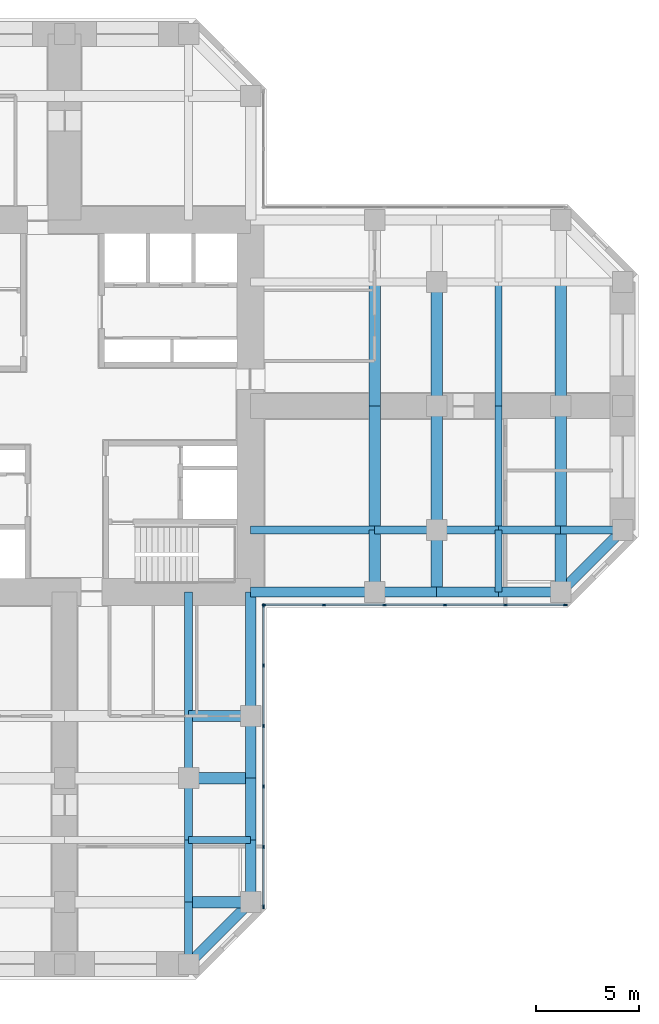
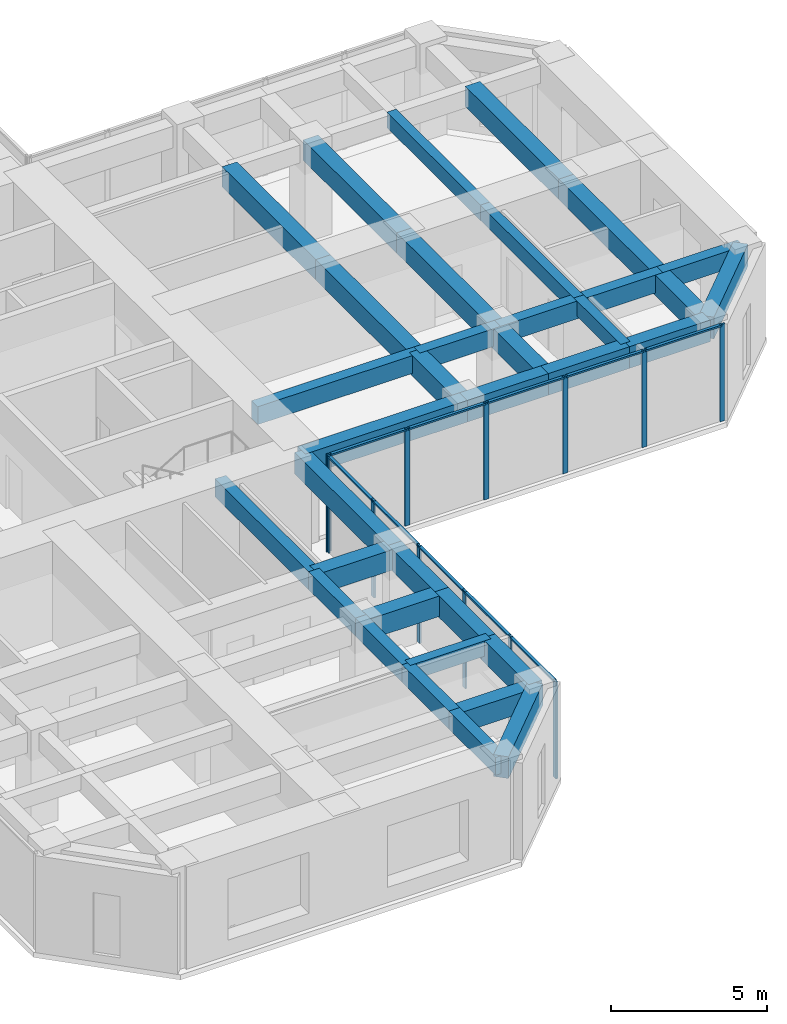
# One storey, part 4 of 12: 36 beams, 22 members, 2 elements without a shape of their own.
"""IFC4 building model written with IfcOpenShell, lengths in metres."""

from ifc_helpers import new_model, si_unit, direction, frame, origin, origin_2d, place, context, subcontext, project, spatial, rectangle, extrude, material, material_profile, profile_set, type_object, element, aggregate, save


model = new_model("IFC4")

# Units and contexts
model_context = context("Model", 3, precision=1e-05, world=origin(), true_north=direction((0.0, 1.0)))
body_context = subcontext(model_context, "Body", "Model", "MODEL_VIEW")
ifc_project = project(units=[si_unit("LENGTHUNIT", "METRE"), si_unit("AREAUNIT", "SQUARE_METRE"), si_unit("VOLUMEUNIT", "CUBIC_METRE"), si_unit("PLANEANGLEUNIT", "RADIAN"), si_unit("MASSUNIT", "GRAM", prefix="KILO")], contexts=[model_context])

# Site, building, storey
site_placement = place(None, origin())
site = spatial("IfcSite", under=ifc_project, at=site_placement, CompositionType="ELEMENT")
building_placement = place(site_placement, origin())
building = spatial("IfcBuilding", under=site, at=building_placement, Name="Torre Cruceta", CompositionType="ELEMENT")
storey_placement = place(building_placement, frame((0.0, 0.0, 116.5)))
storey = spatial("IfcBuildingStorey", under=building, at=storey_placement, Name="L28", CompositionType="ELEMENT", Elevation=116.5)

# Beams
ifc_material_1 = material(Name="Concrete G60 (fck 60 MPa)", Category="concrete")
ifc_material_profile_1 = material_profile(ifc_material_1, rectangle(XDim=0.39990234375, YDim=0.699951171875, at=origin_2d()), Name="RC 400X700")
ifc_profile_set_1 = profile_set([ifc_material_profile_1], Name="Concrete G60 (fck 60 MPa)")
beam_type_1 = type_object("IfcBeamType", Name="COLUMN LINE BEAM RC 400X700", PredefinedType="BEAM", material=ifc_profile_set_1)
beam_1_placement = place(storey_placement, frame((9.0, -6.0, 3.449951171875), z_axis=(1.0, 0.0, 0.0), x_axis=(0.0, 1.0, 0.0)))
element("IfcBeam", 1, at=beam_1_placement, inside=storey, type_object=beam_type_1, Name="LB5 L28 E col- 1", PredefinedType="BEAM", context=body_context, shape_type="SweptSolid", body=[
    extrude(rectangle(XDim=0.39990234375, YDim=0.699951171875, at=origin_2d()), origin(), (0.0, 0.0, 1.0), 6.0),
])
for number, where, z_axis, x_axis, name in (
    (2, (15.0, -6.0, 3.449951171875), (1.0, 0.0, 0.0), (0.0, 1.0, 0.0), "LB5 L28 E col- 2"),
    (3, (18.0, -6.0, 3.449951171875), (1.0, 0.0, 0.0), (0.0, 1.0, 0.0), "LB5 L28 E col- 3"),
    (4, (21.0, -6.0, 3.449951171875), (1.0, 0.0, 0.0), (0.0, 1.0, 0.0), "LB5 L28 E col- 4"),
    (5, (24.0, -6.0, 3.449951171875), (1.0, 0.0, 0.0), (0.0, 1.0, 0.0), "LB5 L28 E col- 5"),
):
    element("IfcBeam", number, at=place(storey_placement, frame(where, z_axis=z_axis, x_axis=x_axis)), inside=storey, type_object=beam_type_1, Name=name, PredefinedType="BEAM", context=body_context, shape_type="SweptSolid", body=[
        extrude(rectangle(XDim=0.39990234375, YDim=0.699951171875, at=origin_2d()), origin(), (0.0, 0.0, 1.0), 3.0),
    ])
beam_2_placement = place(storey_placement, frame((6.0, -9.0, 3.449951171875), z_axis=(0.0, -1.0, 0.0), x_axis=(1.0, 0.0, 0.0)))
element("IfcBeam", 6, at=beam_2_placement, inside=storey, type_object=beam_type_1, Name="LB5 L28 S col+ 1", PredefinedType="BEAM", context=body_context, shape_type="SweptSolid", body=[
    extrude(rectangle(XDim=0.39990234375, YDim=0.699951171875, at=origin_2d()), origin(), (0.0, 0.0, 1.0), 6.0),
])
for number, where, z_axis, x_axis, name in (
    (7, (6.0, -15.0, 3.449951171875), (0.0, -1.0, 0.0), (1.0, 0.0, 0.0), "LB5 L28 S col+ 2"),
    (8, (6.0, -18.0, 3.449951171875), (0.0, -1.0, 0.0), (1.0, 0.0, 0.0), "LB5 L28 S col+ 3"),
    (9, (6.0, -21.0, 3.449951171875), (0.0, -1.0, 0.0), (1.0, 0.0, 0.0), "LB5 L28 S col+ 4"),
    (10, (6.0, -24.0, 3.449951171875), (0.0, -1.0, 0.0), (1.0, 0.0, 0.0), "LB5 L28 S col+ 5"),
):
    element("IfcBeam", number, at=place(storey_placement, frame(where, z_axis=z_axis, x_axis=x_axis)), inside=storey, type_object=beam_type_1, Name=name, PredefinedType="BEAM", context=body_context, shape_type="SweptSolid", body=[
        extrude(rectangle(XDim=0.39990234375, YDim=0.699951171875, at=origin_2d()), origin(), (0.0, 0.0, 1.0), 3.0),
    ])
ifc_material_2 = material(Name="Concrete G60 (fck 60 MPa)", Category="concrete")
ifc_material_profile_2 = material_profile(ifc_material_2, rectangle(XDim=0.550048828125, YDim=0.800048828125, at=origin_2d()), Name="RC 550X800")
ifc_profile_set_2 = profile_set([ifc_material_profile_2], Name="Concrete G60 (fck 60 MPa)")
beam_type_2 = type_object("IfcBeamType", Name="CROSS BEAM RC 550X800", PredefinedType="BEAM", material=ifc_profile_set_2)
beam_3_placement = place(storey_placement, frame((15.0, -9.0, 3.39990234375), z_axis=(0.0, 1.0, 0.0), x_axis=(-1.0, 0.0, 0.0)))
element("IfcBeam", 11, at=beam_3_placement, inside=storey, type_object=beam_type_2, Name="GB5 L28 E cross15 1", PredefinedType="BEAM", context=body_context, shape_type="SweptSolid", body=[
    extrude(rectangle(XDim=0.550048828125, YDim=0.800048828125, at=origin_2d()), origin(), (0.0, 0.0, 1.0), 3.0),
])
for number, where, z_axis, x_axis, name in (
    (12, (15.0, -6.0, 3.39990234375), (0.0, 1.0, 0.0), (-1.0, 0.0, 0.0), "GB5 L28 E cross15 2"),
    (13, (15.0, 0.0, 3.39990234375), (0.0, 1.0, 0.0), (-1.0, 0.0, 0.0), "GB5 L28 E cross15 3"),
):
    element("IfcBeam", number, at=place(storey_placement, frame(where, z_axis=z_axis, x_axis=x_axis)), inside=storey, type_object=beam_type_2, Name=name, PredefinedType="BEAM", context=body_context, shape_type="SweptSolid", body=[
        extrude(rectangle(XDim=0.550048828125, YDim=0.800048828125, at=origin_2d()), origin(), (0.0, 0.0, 1.0), 6.0),
    ])
beam_4_placement = place(storey_placement, frame((18.0, -9.0, 3.39990234375), z_axis=(0.0, 1.0, 0.0), x_axis=(-1.0, 0.0, 0.0)))
element("IfcBeam", 14, at=beam_4_placement, inside=storey, type_object=beam_type_2, Name="GB5 L28 E cross18 1", PredefinedType="BEAM", context=body_context, shape_type="SweptSolid", body=[
    extrude(rectangle(XDim=0.550048828125, YDim=0.800048828125, at=origin_2d()), origin(), (0.0, 0.0, 1.0), 3.0),
])
for number, where, z_axis, x_axis, name in (
    (15, (18.0, -6.0, 3.39990234375), (0.0, 1.0, 0.0), (-1.0, 0.0, 0.0), "GB5 L28 E cross18 2"),
    (16, (18.0, 0.0, 3.39990234375), (0.0, 1.0, 0.0), (-1.0, 0.0, 0.0), "GB5 L28 E cross18 3"),
):
    element("IfcBeam", number, at=place(storey_placement, frame(where, z_axis=z_axis, x_axis=x_axis)), inside=storey, type_object=beam_type_2, Name=name, PredefinedType="BEAM", context=body_context, shape_type="SweptSolid", body=[
        extrude(rectangle(XDim=0.550048828125, YDim=0.800048828125, at=origin_2d()), origin(), (0.0, 0.0, 1.0), 6.0),
    ])
beam_5_placement = place(storey_placement, frame((24.0, -9.0, 3.39990234375), z_axis=(0.0, 1.0, 0.0), x_axis=(-1.0, 0.0, 0.0)))
element("IfcBeam", 17, at=beam_5_placement, inside=storey, type_object=beam_type_2, Name="GB5 L28 E cross24 1", PredefinedType="BEAM", context=body_context, shape_type="SweptSolid", body=[
    extrude(rectangle(XDim=0.550048828125, YDim=0.800048828125, at=origin_2d()), origin(), (0.0, 0.0, 1.0), 3.0),
])
for number, where, z_axis, x_axis, name in (
    (18, (24.0, -6.0, 3.39990234375), (0.0, 1.0, 0.0), (-1.0, 0.0, 0.0), "GB5 L28 E cross24 2"),
    (19, (24.0, 0.0, 3.39990234375), (0.0, 1.0, 0.0), (-1.0, 0.0, 0.0), "GB5 L28 E cross24 3"),
):
    element("IfcBeam", number, at=place(storey_placement, frame(where, z_axis=z_axis, x_axis=x_axis)), inside=storey, type_object=beam_type_2, Name=name, PredefinedType="BEAM", context=body_context, shape_type="SweptSolid", body=[
        extrude(rectangle(XDim=0.550048828125, YDim=0.800048828125, at=origin_2d()), origin(), (0.0, 0.0, 1.0), 6.0),
    ])
for number, where, z_axis, x_axis, name in (
    (20, (6.0, -15.0, 3.39990234375), (1.0, 0.0, 0.0), (0.0, 1.0, 0.0), "GB5 L28 S cross15 4"),
    (21, (6.0, -18.0, 3.39990234375), (1.0, 0.0, 0.0), (0.0, 1.0, 0.0), "GB5 L28 S cross18 4"),
    (22, (6.0, -24.0, 3.39990234375), (1.0, 0.0, 0.0), (0.0, 1.0, 0.0), "GB5 L28 S cross24 4"),
):
    element("IfcBeam", number, at=place(storey_placement, frame(where, z_axis=z_axis, x_axis=x_axis)), inside=storey, type_object=beam_type_2, Name=name, PredefinedType="BEAM", context=body_context, shape_type="SweptSolid", body=[
        extrude(rectangle(XDim=0.550048828125, YDim=0.800048828125, at=origin_2d()), origin(), (0.0, 0.0, 1.0), 3.0),
    ])

# Curtain wall, members
ifc_material_3 = material(Name="Aluminium unitised curtain wall", Category="aluminium")
curtain_wall_type = type_object("IfcCurtainWallType", Name="CURTAIN WALL CW-B OFFICE MID RISE", PredefinedType="USERDEFINED", material=ifc_material_3)
curtain_wall_1_placement = place(storey_placement, origin())
curtain_wall_1 = element("IfcCurtainWall", 23, at=curtain_wall_1_placement, inside=storey, type_object=curtain_wall_type, Name="CW-B L28 E side 00", ObjectType="UNITISED", PredefinedType="USERDEFINED")
ifc_material_4 = material(Name="Aluminium mullion", Category="aluminium")
ifc_material_profile_3 = material_profile(ifc_material_4, rectangle(XDim=0.06494140625, YDim=0.179931640625, at=origin_2d()), Name="AL 65X180")
ifc_profile_set_3 = profile_set([ifc_material_profile_3], Name="Aluminium mullion")
member_type_1 = type_object("IfcMemberType", Name="CW-B MULLION 65X180", PredefinedType="MULLION", material=ifc_profile_set_3)
member_1_placement = place(storey_placement, frame((9.652587890625, -9.6201171875, 0.0), z_axis=(0.0, 0.0, 1.0), x_axis=(0.0, 1.0, 0.0)))
member_1 = element("IfcMember", 24, at=member_1_placement, type_object=member_type_1, Name="CW-B mullion 1", PredefinedType="MULLION", context=body_context, shape_type="SweptSolid", body=[
    extrude(rectangle(XDim=0.06494140625, YDim=0.179931640625, at=origin_2d()), origin(), (0.0, 0.0, 1.0), 3.800048828125),
])
member_2_placement = place(storey_placement, frame((12.54736328125, -9.6201171875, 0.0), z_axis=(0.0, 0.0, 1.0), x_axis=(0.0, 1.0, 0.0)))
member_2 = element("IfcMember", 25, at=member_2_placement, type_object=member_type_1, Name="CW-B mullion 2", PredefinedType="MULLION", context=body_context, shape_type="SweptSolid", body=[
    extrude(rectangle(XDim=0.06494140625, YDim=0.179931640625, at=origin_2d()), origin(), (0.0, 0.0, 1.0), 3.800048828125),
])
member_3_placement = place(storey_placement, frame((15.474609375, -9.6201171875, 0.0), z_axis=(0.0, 0.0, 1.0), x_axis=(0.0, 1.0, 0.0)))
member_3 = element("IfcMember", 26, at=member_3_placement, type_object=member_type_1, Name="CW-B mullion 3", PredefinedType="MULLION", context=body_context, shape_type="SweptSolid", body=[
    extrude(rectangle(XDim=0.06494140625, YDim=0.179931640625, at=origin_2d()), origin(), (0.0, 0.0, 1.0), 3.800048828125),
])
member_4_placement = place(storey_placement, frame((18.402099609375, -9.6201171875, 0.0), z_axis=(0.0, 0.0, 1.0), x_axis=(0.0, 1.0, 0.0)))
member_4 = element("IfcMember", 27, at=member_4_placement, type_object=member_type_1, Name="CW-B mullion 4", PredefinedType="MULLION", context=body_context, shape_type="SweptSolid", body=[
    extrude(rectangle(XDim=0.06494140625, YDim=0.179931640625, at=origin_2d()), origin(), (0.0, 0.0, 1.0), 3.800048828125),
])
member_5_placement = place(storey_placement, frame((21.329345703125, -9.6201171875, 0.0), z_axis=(0.0, 0.0, 1.0), x_axis=(0.0, 1.0, 0.0)))
member_5 = element("IfcMember", 28, at=member_5_placement, type_object=member_type_1, Name="CW-B mullion 5", PredefinedType="MULLION", context=body_context, shape_type="SweptSolid", body=[
    extrude(rectangle(XDim=0.06494140625, YDim=0.179931640625, at=origin_2d()), origin(), (0.0, 0.0, 1.0), 3.800048828125),
])
member_6_placement = place(storey_placement, frame((24.224365234375, -9.6201171875, 0.0), z_axis=(0.0, 0.0, 1.0), x_axis=(0.0, 1.0, 0.0)))
member_6 = element("IfcMember", 29, at=member_6_placement, type_object=member_type_1, Name="CW-B mullion 6", PredefinedType="MULLION", context=body_context, shape_type="SweptSolid", body=[
    extrude(rectangle(XDim=0.06494140625, YDim=0.179931640625, at=origin_2d()), origin(), (0.0, 0.0, 1.0), 3.800048828125),
])

curtain_wall_2_placement = place(storey_placement, origin())
curtain_wall_2 = element("IfcCurtainWall", 30, at=curtain_wall_2_placement, inside=storey, type_object=curtain_wall_type, Name="CW-B L28 S side 19", ObjectType="UNITISED", PredefinedType="USERDEFINED")
member_7_placement = place(storey_placement, frame((9.6201171875, -24.224365234375, 0.0), z_axis=(0.0, 0.0, 1.0), x_axis=(-1.0, 0.0, 0.0)))
member_7 = element("IfcMember", 31, at=member_7_placement, type_object=member_type_1, Name="CW-B mullion 1", PredefinedType="MULLION", context=body_context, shape_type="SweptSolid", body=[
    extrude(rectangle(XDim=0.06494140625, YDim=0.179931640625, at=origin_2d()), origin(), (0.0, 0.0, 1.0), 3.800048828125),
])
member_8_placement = place(storey_placement, frame((9.6201171875, -21.329345703125, 0.0), z_axis=(0.0, 0.0, 1.0), x_axis=(-1.0, 0.0, 0.0)))
member_8 = element("IfcMember", 32, at=member_8_placement, type_object=member_type_1, Name="CW-B mullion 2", PredefinedType="MULLION", context=body_context, shape_type="SweptSolid", body=[
    extrude(rectangle(XDim=0.06494140625, YDim=0.179931640625, at=origin_2d()), origin(), (0.0, 0.0, 1.0), 3.800048828125),
])
member_9_placement = place(storey_placement, frame((9.6201171875, -18.402099609375, 0.0), z_axis=(0.0, 0.0, 1.0), x_axis=(-1.0, 0.0, 0.0)))
member_9 = element("IfcMember", 33, at=member_9_placement, type_object=member_type_1, Name="CW-B mullion 3", PredefinedType="MULLION", context=body_context, shape_type="SweptSolid", body=[
    extrude(rectangle(XDim=0.06494140625, YDim=0.179931640625, at=origin_2d()), origin(), (0.0, 0.0, 1.0), 3.800048828125),
])
member_10_placement = place(storey_placement, frame((9.6201171875, -15.474609375, 0.0), z_axis=(0.0, 0.0, 1.0), x_axis=(-1.0, 0.0, 0.0)))
member_10 = element("IfcMember", 34, at=member_10_placement, type_object=member_type_1, Name="CW-B mullion 4", PredefinedType="MULLION", context=body_context, shape_type="SweptSolid", body=[
    extrude(rectangle(XDim=0.06494140625, YDim=0.179931640625, at=origin_2d()), origin(), (0.0, 0.0, 1.0), 3.800048828125),
])
member_11_placement = place(storey_placement, frame((9.6201171875, -12.54736328125, 0.0), z_axis=(0.0, 0.0, 1.0), x_axis=(-1.0, 0.0, 0.0)))
member_11 = element("IfcMember", 35, at=member_11_placement, type_object=member_type_1, Name="CW-B mullion 5", PredefinedType="MULLION", context=body_context, shape_type="SweptSolid", body=[
    extrude(rectangle(XDim=0.06494140625, YDim=0.179931640625, at=origin_2d()), origin(), (0.0, 0.0, 1.0), 3.800048828125),
])
member_12_placement = place(storey_placement, frame((9.6201171875, -9.652587890625, 0.0), z_axis=(0.0, 0.0, 1.0), x_axis=(-1.0, 0.0, 0.0)))
member_12 = element("IfcMember", 36, at=member_12_placement, type_object=member_type_1, Name="CW-B mullion 6", PredefinedType="MULLION", context=body_context, shape_type="SweptSolid", body=[
    extrude(rectangle(XDim=0.06494140625, YDim=0.179931640625, at=origin_2d()), origin(), (0.0, 0.0, 1.0), 3.800048828125),
])

# Member
ifc_material_5 = material(Name="Aluminium transom", Category="aluminium")
ifc_material_profile_4 = material_profile(ifc_material_5, rectangle(XDim=0.110107421875, YDim=0.06494140625, at=origin_2d()), Name="AL 110X65")
ifc_profile_set_4 = profile_set([ifc_material_profile_4], Name="Aluminium transom")
member_type_2 = type_object("IfcMemberType", Name="CW-B TRANSOM 65X110", PredefinedType="USERDEFINED", material=ifc_profile_set_4)
member_13_placement = place(storey_placement, frame((9.68505859375, -9.6201171875, 3.767578125), z_axis=(1.0, 0.0, 0.0), x_axis=(0.0, 1.0, 0.0)))
member_13 = element("IfcMember", 37, at=member_13_placement, type_object=member_type_2, Name="CW-B transom 1", ObjectType="TRANSOM", PredefinedType="USERDEFINED", context=body_context, shape_type="SweptSolid", body=[
    extrude(rectangle(XDim=0.110107421875, YDim=0.06494140625, at=origin_2d()), origin(), (0.0, 0.0, 1.0), 2.829833984375),
])

member_14_placement = place(storey_placement, frame((12.579833984375, -9.6201171875, 3.767578125), z_axis=(1.0, 0.0, 0.0), x_axis=(0.0, 1.0, 0.0)))
member_14 = element("IfcMember", 38, at=member_14_placement, type_object=member_type_2, Name="CW-B transom 2", ObjectType="TRANSOM", PredefinedType="USERDEFINED", context=body_context, shape_type="SweptSolid", body=[
    extrude(rectangle(XDim=0.110107421875, YDim=0.06494140625, at=origin_2d()), origin(), (0.0, 0.0, 1.0), 2.8623046875),
])

member_15_placement = place(storey_placement, frame((15.50732421875, -9.6201171875, 3.767578125), z_axis=(1.0, 0.0, 0.0), x_axis=(0.0, 1.0, 0.0)))
member_15 = element("IfcMember", 39, at=member_15_placement, type_object=member_type_2, Name="CW-B transom 3", ObjectType="TRANSOM", PredefinedType="USERDEFINED", context=body_context, shape_type="SweptSolid", body=[
    extrude(rectangle(XDim=0.110107421875, YDim=0.06494140625, at=origin_2d()), origin(), (0.0, 0.0, 1.0), 2.8623046875),
])

member_16_placement = place(storey_placement, frame((18.4345703125, -9.6201171875, 3.767578125), z_axis=(1.0, 0.0, 0.0), x_axis=(0.0, 1.0, 0.0)))
member_16 = element("IfcMember", 40, at=member_16_placement, type_object=member_type_2, Name="CW-B transom 4", ObjectType="TRANSOM", PredefinedType="USERDEFINED", context=body_context, shape_type="SweptSolid", body=[
    extrude(rectangle(XDim=0.110107421875, YDim=0.06494140625, at=origin_2d()), origin(), (0.0, 0.0, 1.0), 2.8623046875),
])

member_17_placement = place(storey_placement, frame((21.362060546875, -9.6201171875, 3.767578125), z_axis=(1.0, 0.0, 0.0), x_axis=(0.0, 1.0, 0.0)))
member_17 = element("IfcMember", 41, at=member_17_placement, type_object=member_type_2, Name="CW-B transom 5", ObjectType="TRANSOM", PredefinedType="USERDEFINED", context=body_context, shape_type="SweptSolid", body=[
    extrude(rectangle(XDim=0.110107421875, YDim=0.06494140625, at=origin_2d()), origin(), (0.0, 0.0, 1.0), 2.829833984375),
])

aggregate(curtain_wall_1, [member_1, member_2, member_3, member_4, member_5, member_6, member_13, member_14, member_15, member_16, member_17])

member_18_placement = place(storey_placement, frame((9.6201171875, -24.19189453125, 3.767578125), z_axis=(0.0, 1.0, 0.0), x_axis=(-1.0, 0.0, 0.0)))
member_18 = element("IfcMember", 42, at=member_18_placement, type_object=member_type_2, Name="CW-B transom 1", ObjectType="TRANSOM", PredefinedType="USERDEFINED", context=body_context, shape_type="SweptSolid", body=[
    extrude(rectangle(XDim=0.110107421875, YDim=0.06494140625, at=origin_2d()), origin(), (0.0, 0.0, 1.0), 2.829833984375),
])

member_19_placement = place(storey_placement, frame((9.6201171875, -21.296875, 3.767578125), z_axis=(0.0, 1.0, 0.0), x_axis=(-1.0, 0.0, 0.0)))
member_19 = element("IfcMember", 43, at=member_19_placement, type_object=member_type_2, Name="CW-B transom 2", ObjectType="TRANSOM", PredefinedType="USERDEFINED", context=body_context, shape_type="SweptSolid", body=[
    extrude(rectangle(XDim=0.110107421875, YDim=0.06494140625, at=origin_2d()), origin(), (0.0, 0.0, 1.0), 2.8623046875),
])

member_20_placement = place(storey_placement, frame((9.6201171875, -18.36962890625, 3.767578125), z_axis=(0.0, 1.0, 0.0), x_axis=(-1.0, 0.0, 0.0)))
member_20 = element("IfcMember", 44, at=member_20_placement, type_object=member_type_2, Name="CW-B transom 3", ObjectType="TRANSOM", PredefinedType="USERDEFINED", context=body_context, shape_type="SweptSolid", body=[
    extrude(rectangle(XDim=0.110107421875, YDim=0.06494140625, at=origin_2d()), origin(), (0.0, 0.0, 1.0), 2.8623046875),
])

member_21_placement = place(storey_placement, frame((9.6201171875, -15.442138671875, 3.767578125), z_axis=(0.0, 1.0, 0.0), x_axis=(-1.0, 0.0, 0.0)))
member_21 = element("IfcMember", 45, at=member_21_placement, type_object=member_type_2, Name="CW-B transom 4", ObjectType="TRANSOM", PredefinedType="USERDEFINED", context=body_context, shape_type="SweptSolid", body=[
    extrude(rectangle(XDim=0.110107421875, YDim=0.06494140625, at=origin_2d()), origin(), (0.0, 0.0, 1.0), 2.8623046875),
])

member_22_placement = place(storey_placement, frame((9.6201171875, -12.514892578125, 3.767578125), z_axis=(0.0, 1.0, 0.0), x_axis=(-1.0, 0.0, 0.0)))
member_22 = element("IfcMember", 46, at=member_22_placement, type_object=member_type_2, Name="CW-B transom 5", ObjectType="TRANSOM", PredefinedType="USERDEFINED", context=body_context, shape_type="SweptSolid", body=[
    extrude(rectangle(XDim=0.110107421875, YDim=0.06494140625, at=origin_2d()), origin(), (0.0, 0.0, 1.0), 2.829833984375),
])

aggregate(curtain_wall_2, [member_7, member_8, member_9, member_10, member_11, member_12, member_18, member_19, member_20, member_21, member_22])

# Beams
ifc_material_6 = material(Name="Concrete G60 (fck 60 MPa)", Category="concrete")
ifc_material_profile_5 = material_profile(ifc_material_6, rectangle(XDim=0.35009765625, YDim=0.60009765625, at=origin_2d()), Name="RC 350X600")
ifc_profile_set_5 = profile_set([ifc_material_profile_5], Name="Concrete G60 (fck 60 MPa)")
beam_type_3 = type_object("IfcBeamType", Name="SECONDARY BEAM RC 350X600", PredefinedType="JOIST", material=ifc_profile_set_5)
beam_6_placement = place(storey_placement, frame((21.0, -9.0, 3.5), z_axis=(0.0, 1.0, 0.0), x_axis=(-1.0, 0.0, 0.0)))
element("IfcBeam", 47, at=beam_6_placement, inside=storey, type_object=beam_type_3, Name="JB5 L28 E sec21 1", PredefinedType="JOIST", context=body_context, shape_type="SweptSolid", body=[
    extrude(rectangle(XDim=0.35009765625, YDim=0.60009765625, at=origin_2d()), origin(), (0.0, 0.0, 1.0), 3.0),
])
for number, where, z_axis, x_axis, name in (
    (48, (21.0, -6.0, 3.5), (0.0, 1.0, 0.0), (-1.0, 0.0, 0.0), "JB5 L28 E sec21 2"),
    (49, (21.0, 0.0, 3.5), (0.0, 1.0, 0.0), (-1.0, 0.0, 0.0), "JB5 L28 E sec21 3"),
):
    element("IfcBeam", number, at=place(storey_placement, frame(where, z_axis=z_axis, x_axis=x_axis)), inside=storey, type_object=beam_type_3, Name=name, PredefinedType="JOIST", context=body_context, shape_type="SweptSolid", body=[
        extrude(rectangle(XDim=0.35009765625, YDim=0.60009765625, at=origin_2d()), origin(), (0.0, 0.0, 1.0), 6.0),
    ])
beam_7_placement = place(storey_placement, frame((6.0, -21.0, 3.5), z_axis=(1.0, 0.0, 0.0), x_axis=(0.0, 1.0, 0.0)))
element("IfcBeam", 50, at=beam_7_placement, inside=storey, type_object=beam_type_3, Name="JB5 L28 S sec21 4", PredefinedType="JOIST", context=body_context, shape_type="SweptSolid", body=[
    extrude(rectangle(XDim=0.35009765625, YDim=0.60009765625, at=origin_2d()), origin(), (0.0, 0.0, 1.0), 3.0),
])
ifc_material_7 = material(Name="Concrete G60 (fck 60 MPa)", Category="concrete")
ifc_material_profile_6 = material_profile(ifc_material_7, rectangle(XDim=0.5, YDim=0.85009765625, at=origin_2d()), Name="RC 500X850")
ifc_profile_set_6 = profile_set([ifc_material_profile_6], Name="Concrete G60 (fck 60 MPa)")
beam_type_4 = type_object("IfcBeamType", Name="SPANDREL BEAM RC 500X850", PredefinedType="SPANDREL", material=ifc_profile_set_6)
beam_8_placement = place(storey_placement, frame((9.0, -9.0, 3.375), z_axis=(1.0, 0.0, 0.0), x_axis=(0.0, 1.0, 0.0)))
element("IfcBeam", 51, at=beam_8_placement, inside=storey, type_object=beam_type_4, Name="SB5 L28 E side- 1", PredefinedType="SPANDREL", context=body_context, shape_type="SweptSolid", body=[
    extrude(rectangle(XDim=0.5, YDim=0.85009765625, at=origin_2d()), origin(), (0.0, 0.0, 1.0), 6.0),
])
for number, where, z_axis, x_axis, name in (
    (52, (15.0, -9.0, 3.375), (1.0, 0.0, 0.0), (0.0, 1.0, 0.0), "SB5 L28 E side- 2"),
    (53, (18.0, -9.0, 3.375), (1.0, 0.0, 0.0), (0.0, 1.0, 0.0), "SB5 L28 E side- 3"),
    (54, (21.0, -9.0, 3.375), (1.0, 0.0, 0.0), (0.0, 1.0, 0.0), "SB5 L28 E side- 4"),
):
    element("IfcBeam", number, at=place(storey_placement, frame(where, z_axis=z_axis, x_axis=x_axis)), inside=storey, type_object=beam_type_4, Name=name, PredefinedType="SPANDREL", context=body_context, shape_type="SweptSolid", body=[
        extrude(rectangle(XDim=0.5, YDim=0.85009765625, at=origin_2d()), origin(), (0.0, 0.0, 1.0), 3.0),
    ])
beam_9_placement = place(storey_placement, frame((24.0, -9.0, 3.375), z_axis=(0.707106781187, 0.707106781187, 0.0), x_axis=(-0.707106781187, 0.707106781187, 0.0)))
element("IfcBeam", 55, at=beam_9_placement, inside=storey, type_object=beam_type_4, Name="SB5 L28 E side- 5", PredefinedType="SPANDREL", context=body_context, shape_type="SweptSolid", body=[
    extrude(rectangle(XDim=0.5, YDim=0.85009765625, at=origin_2d()), origin(), (0.0, 0.0, 1.0), 4.24267578125),
])
beam_10_placement = place(storey_placement, frame((9.0, -9.0, 3.375), z_axis=(0.0, -1.0, 0.0), x_axis=(1.0, 0.0, 0.0)))
element("IfcBeam", 56, at=beam_10_placement, inside=storey, type_object=beam_type_4, Name="SB5 L28 S side+ 1", PredefinedType="SPANDREL", context=body_context, shape_type="SweptSolid", body=[
    extrude(rectangle(XDim=0.5, YDim=0.85009765625, at=origin_2d()), origin(), (0.0, 0.0, 1.0), 6.0),
])
for number, where, z_axis, x_axis, name in (
    (57, (9.0, -15.0, 3.375), (0.0, -1.0, 0.0), (1.0, 0.0, 0.0), "SB5 L28 S side+ 2"),
    (58, (9.0, -18.0, 3.375), (0.0, -1.0, 0.0), (1.0, 0.0, 0.0), "SB5 L28 S side+ 3"),
    (59, (9.0, -21.0, 3.375), (0.0, -1.0, 0.0), (1.0, 0.0, 0.0), "SB5 L28 S side+ 4"),
):
    element("IfcBeam", number, at=place(storey_placement, frame(where, z_axis=z_axis, x_axis=x_axis)), inside=storey, type_object=beam_type_4, Name=name, PredefinedType="SPANDREL", context=body_context, shape_type="SweptSolid", body=[
        extrude(rectangle(XDim=0.5, YDim=0.85009765625, at=origin_2d()), origin(), (0.0, 0.0, 1.0), 3.0),
    ])
beam_11_placement = place(storey_placement, frame((9.0, -24.0, 3.375), z_axis=(-0.707106781187, -0.707106781187, 0.0), x_axis=(0.707106781187, -0.707106781187, 0.0)))
element("IfcBeam", 60, at=beam_11_placement, inside=storey, type_object=beam_type_4, Name="SB5 L28 S side+ 5", PredefinedType="SPANDREL", context=body_context, shape_type="SweptSolid", body=[
    extrude(rectangle(XDim=0.5, YDim=0.85009765625, at=origin_2d()), origin(), (0.0, 0.0, 1.0), 4.24267578125),
])

save(model, "model.ifc")
